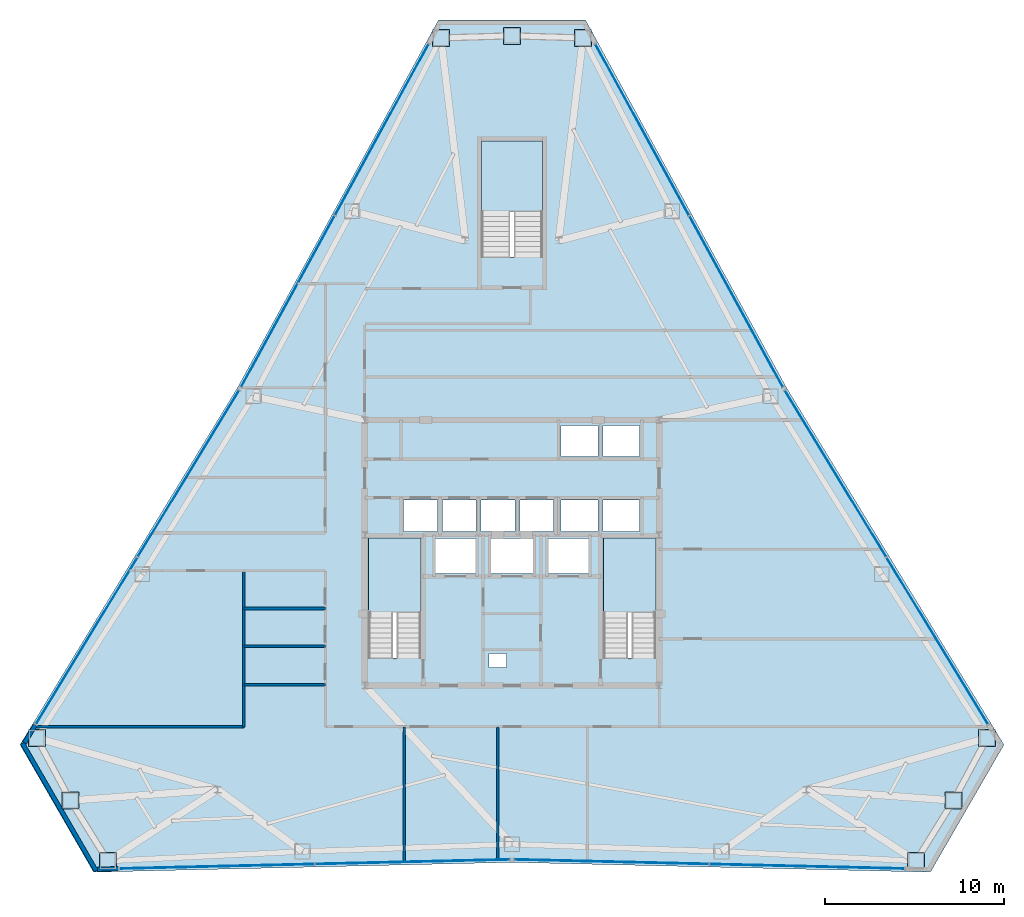
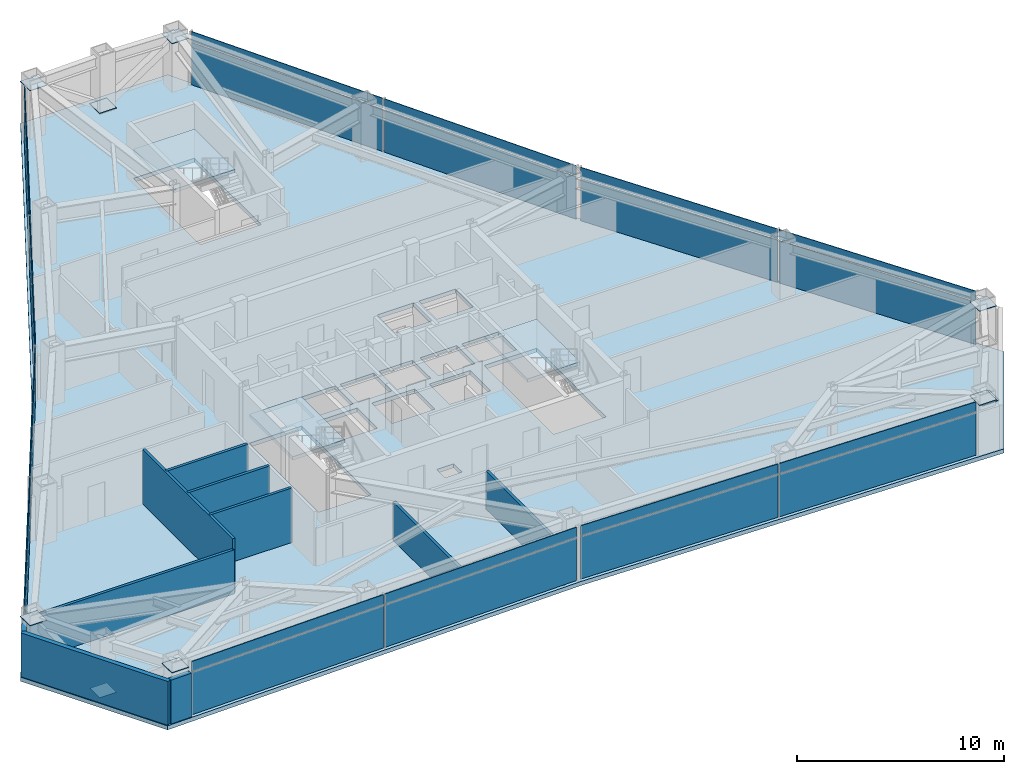
# One storey, part 7 of 11: 33 plates, 10 walls, 4 slabs, 9 elements without a shape of their own.
"""IFC4 building model written with IfcOpenShell, lengths in metres."""

from ifc_helpers import new_model, si_unit, direction, frame, frame_2d, origin, origin_2d, place, context, subcontext, project, spatial, polyline, rectangle, outline, extrude, source, transform, mapped, material, layer, layer_set, type_object, type_shapes, element, aggregate, save


model = new_model("IFC4")

# Units and contexts
model_context = context("Model", 3, precision=1e-05, world=origin(), true_north=direction((0.0, 1.0)))
body_context = subcontext(model_context, "Body", "Model", "MODEL_VIEW")
ifc_project = project(units=[si_unit("LENGTHUNIT", "METRE"), si_unit("AREAUNIT", "SQUARE_METRE"), si_unit("VOLUMEUNIT", "CUBIC_METRE"), si_unit("PLANEANGLEUNIT", "RADIAN"), si_unit("MASSUNIT", "GRAM", prefix="KILO")], contexts=[model_context])

# Site, building, storey
site_placement = place(None, origin())
site = spatial("IfcSite", under=ifc_project, at=site_placement, CompositionType="ELEMENT")
building_placement = place(site_placement, origin())
building = spatial("IfcBuilding", under=site, at=building_placement, Name="Varakhsha Concourse Tower", CompositionType="ELEMENT")
storey_placement = place(building_placement, frame((0.0, 0.0, 150.5)))
storey = spatial("IfcBuildingStorey", under=building, at=storey_placement, Name="L43", CompositionType="ELEMENT", Elevation=150.5)

# Slab
ifc_material_1 = material(Name="Concrete fc 45 MPa", Category="concrete")
ifc_layer_1 = layer(ifc_material_1, 0.239990234375, Name="SL-FLR-240")
ifc_layer_set_1 = layer_set([ifc_layer_1], Name="Concrete fc 45 MPa")
slab_type_1 = type_object("IfcSlabType", Name="SL-FLR-240", PredefinedType="FLOOR", material=ifc_layer_set_1)
slab_1_placement = place(storey_placement, frame((0.0, 0.0, -0.239990234375)))
element("IfcSlab", 1, at=slab_1_placement, inside=storey, type_object=slab_type_1, Name="L43 Composite Structural Slab", PredefinedType="FLOOR", context=body_context, shape_type="SweptSolid", body=[
    extrude(outline(polyline([(44.10009765625, 53.49853515625), (35.89990234375, 53.49853515625), (24.711181640625, 33.027099609375), (12.57666015625, 13.101318359375), (16.6767578125, 6.0), (40.0, 6.5458984375), (63.3232421875, 6.0), (67.42333984375, 13.101318359375), (55.288818359375, 33.027099609375), (44.10009765625, 53.49853515625)]), holes=[polyline([(34.919921875, 17.93994140625), (34.919921875, 24.6298828125), (32.0, 24.6298828125), (32.0, 17.93994140625), (34.919921875, 17.93994140625)]), polyline([(48.02001953125, 17.93994140625), (48.02001953125, 24.6298828125), (45.10009765625, 24.6298828125), (45.10009765625, 17.93994140625), (48.02001953125, 17.93994140625)]), polyline([(41.699951171875, 40.300048828125), (41.699951171875, 46.75), (38.300048828125, 46.75), (38.300048828125, 40.300048828125), (41.699951171875, 40.300048828125)]), polyline([(33.9599609375, 25.0), (35.840087890625, 25.0), (35.840087890625, 26.739990234375), (33.9599609375, 26.739990234375), (33.9599609375, 25.0)]), polyline([(36.1201171875, 25.0), (38.0, 25.0), (38.0, 26.739990234375), (36.1201171875, 26.739990234375), (36.1201171875, 25.0)]), polyline([(38.280029296875, 25.0), (40.159912109375, 25.0), (40.159912109375, 26.739990234375), (38.280029296875, 26.739990234375), (38.280029296875, 25.0)]), polyline([(40.43994140625, 25.0), (42.320068359375, 25.0), (42.320068359375, 26.739990234375), (40.43994140625, 26.739990234375), (40.43994140625, 25.0)]), polyline([(42.739990234375, 29.159912109375), (44.780029296875, 29.159912109375), (44.780029296875, 30.89990234375), (42.739990234375, 30.89990234375), (42.739990234375, 29.159912109375)]), polyline([(45.06005859375, 29.159912109375), (47.10009765625, 29.159912109375), (47.10009765625, 30.89990234375), (45.06005859375, 30.89990234375), (45.06005859375, 29.159912109375)]), polyline([(42.739990234375, 25.0), (44.780029296875, 25.0), (44.780029296875, 26.739990234375), (42.739990234375, 26.739990234375), (42.739990234375, 25.0)]), polyline([(45.06005859375, 25.0), (47.10009765625, 25.0), (47.10009765625, 26.739990234375), (45.06005859375, 26.739990234375), (45.06005859375, 25.0)]), polyline([(35.7099609375, 22.639892578125), (37.989990234375, 22.639892578125), (37.989990234375, 24.60009765625), (35.7099609375, 24.60009765625), (35.7099609375, 22.639892578125)]), polyline([(42.010009765625, 22.639892578125), (44.2900390625, 22.639892578125), (44.2900390625, 24.60009765625), (42.010009765625, 24.60009765625), (42.010009765625, 22.639892578125)]), polyline([(38.81005859375, 22.639892578125), (41.18994140625, 22.639892578125), (41.18994140625, 24.60009765625), (38.81005859375, 24.60009765625), (38.81005859375, 22.639892578125)]), polyline([(38.719970703125, 17.39990234375), (39.679931640625, 17.39990234375), (39.679931640625, 18.199951171875), (38.719970703125, 18.199951171875), (38.719970703125, 17.39990234375)])]), origin(), (0.0, 0.0, 1.0), 0.239990234375),
])

# Stair, slab
stair_type_1 = type_object("IfcStairType", Name="ST-DOGLEG-1360", PredefinedType="HALF_TURN_STAIR", material=ifc_material_1)
stair_1_placement = place(storey_placement, origin())
stair_1 = element("IfcStair", 2, at=stair_1_placement, inside=storey, type_object=stair_type_1, Name="L43 Protected Exit Stair ST1", PredefinedType="HALF_TURN_STAIR")
ifc_layer_2 = layer(ifc_material_1, 0.199951171875, Name="SL-LAND-200")
ifc_layer_set_2 = layer_set([ifc_layer_2], Name="Concrete fc 45 MPa")
slab_type_2 = type_object("IfcSlabType", Name="SL-LAND-200", PredefinedType="LANDING", material=ifc_layer_set_2)
slab_2_placement = place(storey_placement, frame((0.0, 0.0, 1.52490234375)))
slab_2 = element("IfcSlab", 3, at=slab_2_placement, type_object=slab_type_2, Name="ST1 landing 1", PredefinedType="LANDING", context=body_context, shape_type="SweptSolid", body=[
    extrude(outline(polyline([(34.919921875, 20.4599609375), (34.919921875, 24.6298828125), (32.0, 24.6298828125), (32.0, 20.4599609375), (34.919921875, 20.4599609375)])), origin(), (0.0, 0.0, 1.0), 0.2001953125),
])
aggregate(stair_1, [slab_2])

stair_2_placement = place(storey_placement, origin())
stair_2 = element("IfcStair", 4, at=stair_2_placement, inside=storey, type_object=stair_type_1, Name="L43 Protected Exit Stair ST2", PredefinedType="HALF_TURN_STAIR")
slab_3_placement = place(storey_placement, frame((0.0, 0.0, 1.52490234375)))
slab_3 = element("IfcSlab", 5, at=slab_3_placement, type_object=slab_type_2, Name="ST2 landing 1", PredefinedType="LANDING", context=body_context, shape_type="SweptSolid", body=[
    extrude(outline(polyline([(48.02001953125, 20.4599609375), (48.02001953125, 24.6298828125), (45.10009765625, 24.6298828125), (45.10009765625, 20.4599609375), (48.02001953125, 20.4599609375)])), origin(), (0.0, 0.0, 1.0), 0.2001953125),
])
aggregate(stair_2, [slab_3])

stair_type_2 = type_object("IfcStairType", Name="ST-DOGLEG-1600", PredefinedType="HALF_TURN_STAIR", material=ifc_material_1)
stair_3_placement = place(storey_placement, origin())
stair_3 = element("IfcStair", 6, at=stair_3_placement, inside=storey, type_object=stair_type_2, Name="L43 Protected Exit Stair ST5", PredefinedType="HALF_TURN_STAIR")
slab_4_placement = place(storey_placement, frame((0.0, 0.0, 1.52490234375)))
slab_4 = element("IfcSlab", 7, at=slab_4_placement, type_object=slab_type_2, Name="ST5 landing 1", PredefinedType="LANDING", context=body_context, shape_type="SweptSolid", body=[
    extrude(outline(polyline([(41.699951171875, 42.820068359375), (41.699951171875, 46.75), (38.300048828125, 46.75), (38.300048828125, 42.820068359375), (41.699951171875, 42.820068359375)])), origin(), (0.0, 0.0, 1.0), 0.2001953125),
])
aggregate(stair_3, [slab_4])

# Plates
ifc_material_2 = material(Name="Structural Steel ASTM A572 Grade 50", Category="steel")
ifc_layer_3 = layer(ifc_material_2, 0.030029296875, Name="PL-ENDCAP-950")
ifc_layer_set_3 = layer_set([ifc_layer_3], Name="Structural Steel ASTM A572 Grade 50")
plate_type_1 = type_object("IfcPlateType", Name="PL-ENDCAP-950", PredefinedType="USERDEFINED", material=ifc_layer_set_3)
shared_shape_1 = source(origin(), body_context, "Body", "SweptSolid", [
    extrude(rectangle(XDim=0.949951171875, YDim=0.949951171875, at=origin_2d()), origin(), (0.0, 0.0, 1.0), 0.030029296875),
])
type_shapes(plate_type_1, [shared_shape_1])
for number, where, z_axis, x_axis, name in (
    (8, (40.0, 52.61865234375, 0.10498046875), (0.0, 0.0, 1.0), (1.0, 0.0, 0.0), "Hollow Section End Cap GP-NODE-L43-0415"),
    (9, (43.959716796875, 52.496337890625, 2.89501953125), (0.0, 0.0, 1.0), (1.0, 0.0, 0.0), "Hollow Section End Cap GP-NODE-L43-0416"),
    (10, (36.040283203125, 52.496337890625, 2.89501953125), (0.0, 0.0, 1.0), (1.0, 0.0, 0.0), "Hollow Section End Cap GP-NODE-L43-0417"),
    (11, (15.388916015625, 9.99072265625, 0.10498046875), (0.0, 0.0, 1.0), (1.0, 0.0, 0.0), "Hollow Section End Cap GP-NODE-L43-0418"),
    (12, (13.514892578125, 13.481201171875, 2.89501953125), (0.0, 0.0, 1.0), (1.0, 0.0, 0.0), "Hollow Section End Cap GP-NODE-L43-0419"),
    (13, (17.474609375, 6.62255859375, 2.89501953125), (0.0, 0.0, 1.0), (1.0, 0.0, 0.0), "Hollow Section End Cap GP-NODE-L43-0420"),
    (14, (64.611083984375, 9.99072265625, 0.10498046875), (0.0, 0.0, 1.0), (1.0, 0.0, 0.0), "Hollow Section End Cap GP-NODE-L43-0421"),
    (15, (62.525390625, 6.62255859375, 2.89501953125), (0.0, 0.0, 1.0), (1.0, 0.0, 0.0), "Hollow Section End Cap GP-NODE-L43-0422"),
    (16, (66.485107421875, 13.481201171875, 2.89501953125), (0.0, 0.0, 1.0), (1.0, 0.0, 0.0), "Hollow Section End Cap GP-NODE-L43-0423"),
):
    element("IfcPlate", number, at=place(storey_placement, frame(where, z_axis=z_axis, x_axis=x_axis)), inside=storey, type_object=plate_type_1, Name=name, ObjectType="END PLATE", PredefinedType="USERDEFINED", context=body_context, shape_type="MappedRepresentation", body=[
        mapped(shared_shape_1, transform((0.0, 0.0, 0.0), scale=1.0)),
    ])

# Curtain wall, plate
ifc_material_3 = material(Name="Anodised Bronze Architectural Aluminium AA 6063-T6", Category="aluminium")
ifc_layer_4 = layer(ifc_material_3, 0.2099609375, Name="CW-SYS-04")
ifc_layer_set_4 = layer_set([ifc_layer_4], Name="Anodised Bronze Architectural Aluminium AA 6063-T6")
curtain_wall_type = type_object("IfcCurtainWallType", Name="CW-SYS-04", PredefinedType="NOTDEFINED", material=ifc_layer_set_4)
curtain_wall_1_placement = place(storey_placement, origin())
curtain_wall_1 = element("IfcCurtainWall", 17, at=curtain_wall_1_placement, inside=storey, type_object=curtain_wall_type, Name="L43 Crystal Curtain Wall F2", PredefinedType="NOTDEFINED")
ifc_material_4 = material(Name="Low-E Triple Insulating Glass IGU 44 mm", Category="glass")
ifc_layer_5 = layer(ifc_material_4, 0.0439453125, Name="CWP-IGU-44")
ifc_layer_set_5 = layer_set([ifc_layer_5], Name="Low-E Triple Insulating Glass IGU 44 mm")
plate_type_2 = type_object("IfcPlateType", Name="CWP-IGU-44", PredefinedType="CURTAIN_PANEL", material=ifc_layer_set_5)
shared_shape_2 = source(origin(), body_context, "Body", "SweptSolid", [
    extrude(rectangle(XDim=10.835693359375, YDim=0.0439453125, at=origin_2d()), origin(), (0.0, 0.0, 1.0), 2.490966796875),
])
plate_1_placement = place(storey_placement, frame((27.50732421875, 37.809326171875, 0.03466796875), z_axis=(0.0, 0.0, 1.0), x_axis=(0.479595701913, 0.877489579828, 0.0)))
plate_1 = element("IfcPlate", 18, at=plate_1_placement, type_object=plate_type_2, Name="CW-L43-F2 Panel 00-00", PredefinedType="CURTAIN_PANEL", context=body_context, shape_type="MappedRepresentation", body=[
    mapped(shared_shape_2, transform((0.0, 0.0, 0.0), scale=1.0)),
])

curtain_wall_2_placement = place(storey_placement, origin())
curtain_wall_2 = element("IfcCurtainWall", 19, at=curtain_wall_2_placement, inside=storey, type_object=curtain_wall_type, Name="L43 Crystal Curtain Wall F3", PredefinedType="NOTDEFINED")
plate_2_placement = place(storey_placement, frame((16.29052734375, 18.89208984375, 0.03466796875), z_axis=(0.0, 0.0, 1.0), x_axis=(0.520125944735, 0.854089574701, 0.0)))
plate_2 = element("IfcPlate", 20, at=plate_2_placement, type_object=plate_type_2, Name="CW-L43-F3 Panel 00-00", PredefinedType="CURTAIN_PANEL", context=body_context, shape_type="MappedRepresentation", body=[
    mapped(shared_shape_2, transform((0.0, 0.0, 0.0), scale=1.0)),
])

curtain_wall_3_placement = place(storey_placement, origin())
curtain_wall_3 = element("IfcCurtainWall", 21, at=curtain_wall_3_placement, inside=storey, type_object=curtain_wall_type, Name="L43 Crystal Curtain Wall F5", PredefinedType="NOTDEFINED")
plate_3_placement = place(storey_placement, frame((34.46044921875, 6.576416015625, 0.03466796875), z_axis=(0.0, 0.0, 1.0), x_axis=(-0.999726077797, -0.023404473363, 0.0)))
plate_3 = element("IfcPlate", 22, at=plate_3_placement, type_object=plate_type_2, Name="CW-L43-F5 Panel 00-00", PredefinedType="CURTAIN_PANEL", context=body_context, shape_type="MappedRepresentation", body=[
    mapped(shared_shape_2, transform((0.0, 0.0, 0.0), scale=1.0)),
])

curtain_wall_4_placement = place(storey_placement, origin())
curtain_wall_4 = element("IfcCurtainWall", 23, at=curtain_wall_4_placement, inside=storey, type_object=curtain_wall_type, Name="L43 Crystal Curtain Wall F6", PredefinedType="NOTDEFINED")
plate_4_placement = place(storey_placement, frame((56.451416015625, 6.32080078125, 0.03466796875), z_axis=(0.0, 0.0, 1.0), x_axis=(-0.999726077797, 0.023404473363, 0.0)))
plate_4 = element("IfcPlate", 24, at=plate_4_placement, type_object=plate_type_2, Name="CW-L43-F6 Panel 00-00", PredefinedType="CURTAIN_PANEL", context=body_context, shape_type="MappedRepresentation", body=[
    mapped(shared_shape_2, transform((0.0, 0.0, 0.0), scale=1.0)),
])

curtain_wall_5_placement = place(storey_placement, origin())
curtain_wall_5 = element("IfcCurtainWall", 25, at=curtain_wall_5_placement, inside=storey, type_object=curtain_wall_type, Name="L43 Crystal Curtain Wall F8", PredefinedType="NOTDEFINED")
plate_5_placement = place(storey_placement, frame((58.0322265625, 28.21435546875, 0.03466796875), z_axis=(0.0, 0.0, 1.0), x_axis=(0.520125944735, -0.854089574701, 0.0)))
plate_5 = element("IfcPlate", 26, at=plate_5_placement, type_object=plate_type_2, Name="CW-L43-F8 Panel 00-00", PredefinedType="CURTAIN_PANEL", context=body_context, shape_type="MappedRepresentation", body=[
    mapped(shared_shape_2, transform((0.0, 0.0, 0.0), scale=1.0)),
])

curtain_wall_6_placement = place(storey_placement, origin())
curtain_wall_6 = element("IfcCurtainWall", 27, at=curtain_wall_6_placement, inside=storey, type_object=curtain_wall_type, Name="L43 Crystal Curtain Wall F9", PredefinedType="NOTDEFINED")
plate_6_placement = place(storey_placement, frame((47.2578125, 47.386962890625, 0.03466796875), z_axis=(0.0, 0.0, 1.0), x_axis=(0.479595701913, -0.877489579828, 0.0)))
plate_6 = element("IfcPlate", 28, at=plate_6_placement, type_object=plate_type_2, Name="CW-L43-F9 Panel 00-00", PredefinedType="CURTAIN_PANEL", context=body_context, shape_type="MappedRepresentation", body=[
    mapped(shared_shape_2, transform((0.0, 0.0, 0.0), scale=1.0)),
])

# Plate
ifc_material_5 = material(Name="Glazed Turquoise-Bronze Ceramic Spandrel Panel 38 mm", Category="ceramic")
ifc_layer_6 = layer(ifc_material_5, 0.0380859375, Name="CWP-SPN-38")
ifc_layer_set_6 = layer_set([ifc_layer_6], Name="Glazed Turquoise-Bronze Ceramic Spandrel Panel 38 mm")
plate_type_3 = type_object("IfcPlateType", Name="CWP-SPN-38", PredefinedType="USERDEFINED", material=ifc_layer_set_6)
shared_shape_3 = source(origin(), body_context, "Body", "SweptSolid", [
    extrude(rectangle(XDim=10.835693359375, YDim=0.0380859375, at=origin_2d()), origin(), (0.0, 0.0, 1.0), 0.5810546875),
])
plate_7_placement = place(storey_placement, frame((27.50732421875, 37.809326171875, 2.594482421875), z_axis=(0.0, 0.0, 1.0), x_axis=(0.479595701913, 0.877489579828, 0.0)))
plate_7 = element("IfcPlate", 29, at=plate_7_placement, type_object=plate_type_3, Name="CW-L43-F2 Panel 00-01", ObjectType="SPANDREL", PredefinedType="USERDEFINED", context=body_context, shape_type="MappedRepresentation", body=[
    mapped(shared_shape_3, transform((0.0, 0.0, 0.0), scale=1.0)),
])

plate_8_placement = place(storey_placement, frame((16.29052734375, 18.89208984375, 2.594482421875), z_axis=(0.0, 0.0, 1.0), x_axis=(0.520125944735, 0.854089574701, 0.0)))
plate_8 = element("IfcPlate", 30, at=plate_8_placement, type_object=plate_type_3, Name="CW-L43-F3 Panel 00-01", ObjectType="SPANDREL", PredefinedType="USERDEFINED", context=body_context, shape_type="MappedRepresentation", body=[
    mapped(shared_shape_3, transform((0.0, 0.0, 0.0), scale=1.0)),
])

plate_9_placement = place(storey_placement, frame((34.46044921875, 6.576416015625, 2.594482421875), z_axis=(0.0, 0.0, 1.0), x_axis=(-0.999726077797, -0.023404473363, 0.0)))
plate_9 = element("IfcPlate", 31, at=plate_9_placement, type_object=plate_type_3, Name="CW-L43-F5 Panel 00-01", ObjectType="SPANDREL", PredefinedType="USERDEFINED", context=body_context, shape_type="MappedRepresentation", body=[
    mapped(shared_shape_3, transform((0.0, 0.0, 0.0), scale=1.0)),
])

plate_10_placement = place(storey_placement, frame((56.451416015625, 6.32080078125, 2.594482421875), z_axis=(0.0, 0.0, 1.0), x_axis=(-0.999726077797, 0.023404473363, 0.0)))
plate_10 = element("IfcPlate", 32, at=plate_10_placement, type_object=plate_type_3, Name="CW-L43-F6 Panel 00-01", ObjectType="SPANDREL", PredefinedType="USERDEFINED", context=body_context, shape_type="MappedRepresentation", body=[
    mapped(shared_shape_3, transform((0.0, 0.0, 0.0), scale=1.0)),
])

plate_11_placement = place(storey_placement, frame((58.0322265625, 28.21435546875, 2.594482421875), z_axis=(0.0, 0.0, 1.0), x_axis=(0.520125944735, -0.854089574701, 0.0)))
plate_11 = element("IfcPlate", 33, at=plate_11_placement, type_object=plate_type_3, Name="CW-L43-F8 Panel 00-01", ObjectType="SPANDREL", PredefinedType="USERDEFINED", context=body_context, shape_type="MappedRepresentation", body=[
    mapped(shared_shape_3, transform((0.0, 0.0, 0.0), scale=1.0)),
])

plate_12_placement = place(storey_placement, frame((47.2578125, 47.386962890625, 2.594482421875), z_axis=(0.0, 0.0, 1.0), x_axis=(0.479595701913, -0.877489579828, 0.0)))
plate_12 = element("IfcPlate", 34, at=plate_12_placement, type_object=plate_type_3, Name="CW-L43-F9 Panel 00-01", ObjectType="SPANDREL", PredefinedType="USERDEFINED", context=body_context, shape_type="MappedRepresentation", body=[
    mapped(shared_shape_3, transform((0.0, 0.0, 0.0), scale=1.0)),
])

shared_shape_4 = source(origin(), body_context, "Body", "SweptSolid", [
    extrude(rectangle(XDim=10.8359375, YDim=0.0439453125, at=origin_2d()), origin(), (0.0, 0.0, 1.0), 2.490966796875),
])
type_shapes(plate_type_2, [shared_shape_2, shared_shape_4])
plate_13_placement = place(storey_placement, frame((32.741943359375, 47.386962890625, 0.03466796875), z_axis=(0.0, 0.0, 1.0), x_axis=(0.479595701913, 0.877489579828, 0.0)))
plate_13 = element("IfcPlate", 35, at=plate_13_placement, type_object=plate_type_2, Name="CW-L43-F2 Panel 01-00", PredefinedType="CURTAIN_PANEL", context=body_context, shape_type="MappedRepresentation", body=[
    mapped(shared_shape_4, transform((0.0, 0.0, 0.0), scale=1.0)),
])

plate_14_placement = place(storey_placement, frame((21.967529296875, 28.21435546875, 0.03466796875), z_axis=(0.0, 0.0, 1.0), x_axis=(0.520125944735, 0.854089574701, 0.0)))
plate_14 = element("IfcPlate", 36, at=plate_14_placement, type_object=plate_type_2, Name="CW-L43-F3 Panel 01-00", PredefinedType="CURTAIN_PANEL", context=body_context, shape_type="MappedRepresentation", body=[
    mapped(shared_shape_4, transform((0.0, 0.0, 0.0), scale=1.0)),
])

plate_15_placement = place(storey_placement, frame((23.548583984375, 6.32080078125, 0.03466796875), z_axis=(0.0, 0.0, 1.0), x_axis=(-0.999726077797, -0.023404473363, 0.0)))
plate_15 = element("IfcPlate", 37, at=plate_15_placement, type_object=plate_type_2, Name="CW-L43-F5 Panel 01-00", PredefinedType="CURTAIN_PANEL", context=body_context, shape_type="MappedRepresentation", body=[
    mapped(shared_shape_4, transform((0.0, 0.0, 0.0), scale=1.0)),
])

plate_16_placement = place(storey_placement, frame((45.53955078125, 6.576416015625, 0.03466796875), z_axis=(0.0, 0.0, 1.0), x_axis=(-0.999726077797, 0.023404473363, 0.0)))
plate_16 = element("IfcPlate", 38, at=plate_16_placement, type_object=plate_type_2, Name="CW-L43-F6 Panel 01-00", PredefinedType="CURTAIN_PANEL", context=body_context, shape_type="MappedRepresentation", body=[
    mapped(shared_shape_4, transform((0.0, 0.0, 0.0), scale=1.0)),
])

plate_17_placement = place(storey_placement, frame((63.70947265625, 18.89208984375, 0.03466796875), z_axis=(0.0, 0.0, 1.0), x_axis=(0.520125944735, -0.854089574701, 0.0)))
plate_17 = element("IfcPlate", 39, at=plate_17_placement, type_object=plate_type_2, Name="CW-L43-F8 Panel 01-00", PredefinedType="CURTAIN_PANEL", context=body_context, shape_type="MappedRepresentation", body=[
    mapped(shared_shape_4, transform((0.0, 0.0, 0.0), scale=1.0)),
])

plate_18_placement = place(storey_placement, frame((52.49267578125, 37.809326171875, 0.03466796875), z_axis=(0.0, 0.0, 1.0), x_axis=(0.479595701913, -0.877489579828, 0.0)))
plate_18 = element("IfcPlate", 40, at=plate_18_placement, type_object=plate_type_2, Name="CW-L43-F9 Panel 01-00", PredefinedType="CURTAIN_PANEL", context=body_context, shape_type="MappedRepresentation", body=[
    mapped(shared_shape_4, transform((0.0, 0.0, 0.0), scale=1.0)),
])

shared_shape_5 = source(origin(), body_context, "Body", "SweptSolid", [
    extrude(rectangle(XDim=10.8359375, YDim=0.0380859375, at=origin_2d()), origin(), (0.0, 0.0, 1.0), 0.5810546875),
])
type_shapes(plate_type_3, [shared_shape_3, shared_shape_5])
plate_19_placement = place(storey_placement, frame((32.741943359375, 47.386962890625, 2.594482421875), z_axis=(0.0, 0.0, 1.0), x_axis=(0.479595701913, 0.877489579828, 0.0)))
plate_19 = element("IfcPlate", 41, at=plate_19_placement, type_object=plate_type_3, Name="CW-L43-F2 Panel 01-01", ObjectType="SPANDREL", PredefinedType="USERDEFINED", context=body_context, shape_type="MappedRepresentation", body=[
    mapped(shared_shape_5, transform((0.0, 0.0, 0.0), scale=1.0)),
])

aggregate(curtain_wall_1, [plate_1, plate_7, plate_13, plate_19])

plate_20_placement = place(storey_placement, frame((21.967529296875, 28.21435546875, 2.594482421875), z_axis=(0.0, 0.0, 1.0), x_axis=(0.520125944735, 0.854089574701, 0.0)))
plate_20 = element("IfcPlate", 42, at=plate_20_placement, type_object=plate_type_3, Name="CW-L43-F3 Panel 01-01", ObjectType="SPANDREL", PredefinedType="USERDEFINED", context=body_context, shape_type="MappedRepresentation", body=[
    mapped(shared_shape_5, transform((0.0, 0.0, 0.0), scale=1.0)),
])

aggregate(curtain_wall_2, [plate_2, plate_8, plate_14, plate_20])

plate_21_placement = place(storey_placement, frame((23.548583984375, 6.32080078125, 2.594482421875), z_axis=(0.0, 0.0, 1.0), x_axis=(-0.999726077797, -0.023404473363, 0.0)))
plate_21 = element("IfcPlate", 43, at=plate_21_placement, type_object=plate_type_3, Name="CW-L43-F5 Panel 01-01", ObjectType="SPANDREL", PredefinedType="USERDEFINED", context=body_context, shape_type="MappedRepresentation", body=[
    mapped(shared_shape_5, transform((0.0, 0.0, 0.0), scale=1.0)),
])

aggregate(curtain_wall_3, [plate_3, plate_9, plate_15, plate_21])

plate_22_placement = place(storey_placement, frame((45.53955078125, 6.576416015625, 2.594482421875), z_axis=(0.0, 0.0, 1.0), x_axis=(-0.999726077797, 0.023404473363, 0.0)))
plate_22 = element("IfcPlate", 44, at=plate_22_placement, type_object=plate_type_3, Name="CW-L43-F6 Panel 01-01", ObjectType="SPANDREL", PredefinedType="USERDEFINED", context=body_context, shape_type="MappedRepresentation", body=[
    mapped(shared_shape_5, transform((0.0, 0.0, 0.0), scale=1.0)),
])

aggregate(curtain_wall_4, [plate_4, plate_10, plate_16, plate_22])

plate_23_placement = place(storey_placement, frame((63.70947265625, 18.89208984375, 2.594482421875), z_axis=(0.0, 0.0, 1.0), x_axis=(0.520125944735, -0.854089574701, 0.0)))
plate_23 = element("IfcPlate", 45, at=plate_23_placement, type_object=plate_type_3, Name="CW-L43-F8 Panel 01-01", ObjectType="SPANDREL", PredefinedType="USERDEFINED", context=body_context, shape_type="MappedRepresentation", body=[
    mapped(shared_shape_5, transform((0.0, 0.0, 0.0), scale=1.0)),
])

aggregate(curtain_wall_5, [plate_5, plate_11, plate_17, plate_23])

plate_24_placement = place(storey_placement, frame((52.49267578125, 37.809326171875, 2.594482421875), z_axis=(0.0, 0.0, 1.0), x_axis=(0.479595701913, -0.877489579828, 0.0)))
plate_24 = element("IfcPlate", 46, at=plate_24_placement, type_object=plate_type_3, Name="CW-L43-F9 Panel 01-01", ObjectType="SPANDREL", PredefinedType="USERDEFINED", context=body_context, shape_type="MappedRepresentation", body=[
    mapped(shared_shape_5, transform((0.0, 0.0, 0.0), scale=1.0)),
])

aggregate(curtain_wall_6, [plate_6, plate_12, plate_18, plate_24])

# Walls
ifc_layer_7 = layer(ifc_material_1, 0.239990234375, Name="WL-EXT-CRN-240")
ifc_layer_set_7 = layer_set([ifc_layer_7], Name="Concrete fc 45 MPa")
wall_type_1 = type_object("IfcWallType", Name="WL-EXT-CRN-240", PredefinedType="SHEAR", material=ifc_layer_set_7)
wall_1_placement = place(storey_placement, frame((13.4326171875, 14.198974609375, 0.0), z_axis=(0.0, 0.0, 1.0), x_axis=(-0.520166776588, -0.854064707463, 0.0)))
element("IfcWall", 47, at=wall_1_placement, inside=storey, type_object=wall_type_1, Name="L43 Wind-Corner Shoulder Wall F3", PredefinedType="SHEAR", context=body_context, shape_type="SweptSolid", body=[
    extrude(rectangle(XDim=1.16259765625, YDim=0.239990234375, at=frame_2d((0.581298828125, 0.0))), origin(), (0.0, 0.0, 1.0), 2.5830078125),
])
wall_2_placement = place(storey_placement, frame((16.815185546875, 6.080078125, 0.0), z_axis=(0.0, 0.0, 1.0), x_axis=(-0.49999135188, 0.866030396721, 0.0)))
element("IfcWall", 48, at=wall_2_placement, inside=storey, type_object=wall_type_1, Name="L43 Chamfer Wind-Corner Insulated Wall F4", PredefinedType="SHEAR", context=body_context, shape_type="SweptSolid", body=[
    extrude(rectangle(XDim=8.199951171875, YDim=0.239990234375, at=frame_2d((4.10009765625, 0.0))), origin(), (0.0, 0.0, 1.0), 2.5830078125),
])
wall_3_placement = place(storey_placement, frame((16.892822265625, 6.1650390625, 0.0), z_axis=(0.0, 0.0, 1.0), x_axis=(0.999723414456, 0.023517963121, 0.0)))
element("IfcWall", 49, at=wall_3_placement, inside=storey, type_object=wall_type_1, Name="L43 Wind-Corner Shoulder Wall F5", PredefinedType="SHEAR", context=body_context, shape_type="SweptSolid", body=[
    extrude(rectangle(XDim=1.16259765625, YDim=0.239990234375, at=frame_2d((0.581298828125, 0.0))), origin(), (0.0, 0.0, 1.0), 2.5830078125),
])
ifc_material_6 = material(Name="Fire-Rated Type X Gypsum Partition Assembly", Category="gypsum")
ifc_layer_8 = layer(ifc_material_6, 0.14990234375, Name="WL-PART-150")
ifc_layer_set_8 = layer_set([ifc_layer_8], Name="Fire-Rated Type X Gypsum Partition Assembly")
wall_type_2 = type_object("IfcWallType", Name="WL-PART-150", PredefinedType="PARTITIONING", material=ifc_layer_set_8)
wall_4_placement = place(storey_placement, frame((25.050048828125, 14.10009765625, 0.0), z_axis=(0.0, 0.0, 1.0), x_axis=(0.0, 1.0, 0.0)))
element("IfcWall", 50, at=wall_4_placement, inside=storey, type_object=wall_type_2, Name="L43 Wall C2WC-W-L43", PredefinedType="PARTITIONING", context=body_context, shape_type="SweptSolid", body=[
    extrude(rectangle(XDim=8.699951171875, YDim=0.14990234375, at=frame_2d((4.35009765625, 0.0))), origin(), (0.0, 0.0, 1.0), 3.2099609375),
])
for number, where, z_axis, x_axis, name in (
    (51, (25.050048828125, 16.449951171875, 0.0), (0.0, 0.0, 1.0), (1.0, 0.0, 0.0), "L43 Wall C2WC-S-L43"),
    (52, (25.050048828125, 18.60009765625, 0.0), (0.0, 0.0, 1.0), (1.0, 0.0, 0.0), "L43 Wall C2WC-D1-L43"),
    (53, (25.050048828125, 20.699951171875, 0.0), (0.0, 0.0, 1.0), (1.0, 0.0, 0.0), "L43 Wall C2WC-D2-L43"),
):
    element("IfcWall", number, at=place(storey_placement, frame(where, z_axis=z_axis, x_axis=x_axis)), inside=storey, type_object=wall_type_2, Name=name, PredefinedType="PARTITIONING", context=body_context, shape_type="SweptSolid", body=[
        extrude(rectangle(XDim=4.550048828125, YDim=0.14990234375, at=frame_2d((2.27490234375, 0.0))), origin(), (0.0, 0.0, 1.0), 3.2099609375),
    ])
wall_5_placement = place(storey_placement, frame((34.0, 6.570556640625, 0.0), z_axis=(0.0, 0.0, 1.0), x_axis=(0.0, 1.0, 0.0)))
element("IfcWall", 54, at=wall_5_placement, inside=storey, type_object=wall_type_2, Name="L43 Wall ODIV-S1-L43", PredefinedType="PARTITIONING", context=body_context, shape_type="SweptSolid", body=[
    extrude(rectangle(XDim=7.529541015625, YDim=0.14990234375, at=frame_2d((3.7646484375, 0.0))), origin(), (0.0, 0.0, 1.0), 2.251953125),
])
wall_6_placement = place(storey_placement, frame((39.199951171875, 6.6923828125, 0.0), z_axis=(0.0, 0.0, 1.0), x_axis=(0.0, 1.0, 0.0)))
element("IfcWall", 55, at=wall_6_placement, inside=storey, type_object=wall_type_2, Name="L43 Wall ODIV-S2-L43", PredefinedType="PARTITIONING", context=body_context, shape_type="SweptSolid", body=[
    extrude(rectangle(XDim=7.40771484375, YDim=0.14990234375, at=frame_2d((3.703857421875, 0.0))), origin(), (0.0, 0.0, 1.0), 2.251953125),
])
wall_7_placement = place(storey_placement, frame((13.3779296875, 14.10009765625, 0.0), z_axis=(0.0, 0.0, 1.0), x_axis=(1.0, 0.0, 0.0)))
element("IfcWall", 56, at=wall_7_placement, inside=storey, type_object=wall_type_2, Name="L43 Wall ODIV-SWB-L43", PredefinedType="PARTITIONING", context=body_context, shape_type="SweptSolid", body=[
    extrude(rectangle(XDim=11.672119140625, YDim=0.14990234375, at=frame_2d((5.8359375, 0.0))), origin(), (0.0, 0.0, 1.0), 2.589111328125),
])

save(model, "model.ifc")
